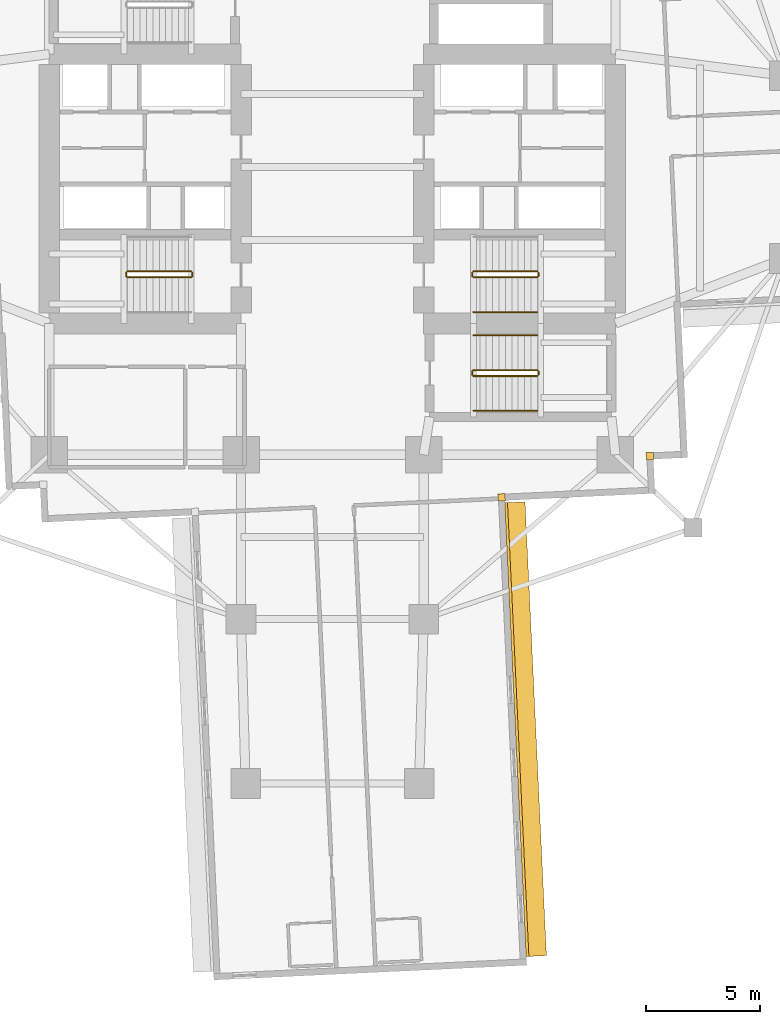
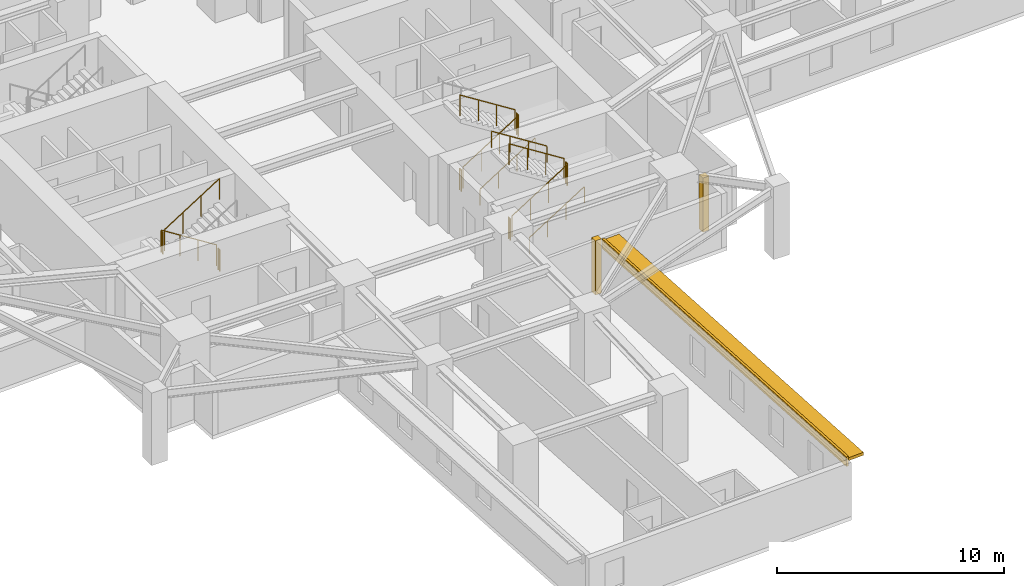
# One storey, part 11 of 14: 15 railings, 3 coverings, 1 shading device.
"""IFC4 building model written with IfcOpenShell, lengths in metres."""

from ifc_helpers import new_model, si_unit, direction, frame, origin, origin_2d, place, context, subcontext, project, spatial, rectangle, circle, extrude, material, layer, layer_set, type_object, element, save


model = new_model("IFC4")

# Units and contexts
model_context = context("Model", 3, precision=1e-05, world=origin(), true_north=direction((0.0, 1.0)))
body_context = subcontext(model_context, "Body", "Model", "MODEL_VIEW")
ifc_project = project(units=[si_unit("LENGTHUNIT", "METRE"), si_unit("AREAUNIT", "SQUARE_METRE"), si_unit("VOLUMEUNIT", "CUBIC_METRE"), si_unit("PLANEANGLEUNIT", "RADIAN"), si_unit("MASSUNIT", "GRAM", prefix="KILO")], contexts=[model_context])

# Site, building, storey
site_placement = place(None, origin())
site = spatial("IfcSite", under=ifc_project, at=site_placement, CompositionType="ELEMENT")
building_placement = place(site_placement, origin())
building = spatial("IfcBuilding", under=site, at=building_placement, Name="Qingluan Cross Belvedere", CompositionType="ELEMENT")
storey_placement = place(building_placement, frame((0.0, 0.0, 35.39990234375)))
storey = spatial("IfcBuildingStorey", under=building, at=storey_placement, Name="L09", CompositionType="ELEMENT", Elevation=35.39990234375)

# Coverings
ifc_material_1 = material(Name="Precast concrete C45", Category="concrete")
ifc_layer_1 = layer(ifc_material_1, 0.1201171875, Name="ConcreteSpandrelCladding_120")
ifc_layer_set_1 = layer_set([ifc_layer_1], Name="Precast concrete C45")
covering_type = type_object("IfcCoveringType", Name="ConcreteSpandrelCladding_120", PredefinedType="CLADDING", material=ifc_layer_set_1)
covering_placement = place(storey_placement, frame((8.07958984375, -24.63671875, 2.4501953125), z_axis=(0.0, 0.0, 1.0), x_axis=(-0.047104684445, 0.998889958255, 0.0)))
element("IfcCovering", 1, at=covering_placement, inside=storey, type_object=covering_type, Name="Spandrel cladding L09-SB", PredefinedType="CLADDING", context=body_context, shape_type="SweptSolid", body=[
    extrude(rectangle(XDim=19.89990234375, YDim=0.1201171875, at=origin_2d()), origin(), (0.0, 0.0, 1.0), 0.52001953125),
])
for number, where, z_axis, x_axis, name in (
    (2, (13.911865234375, -12.65869140625, 0.0), (0.0, 0.0, 1.0), (0.998889874962, 0.04710645071, 0.0), "Corner closure L09-SE1"),
    (3, (7.40966796875, -14.467041015625, 0.0), (0.0, 0.0, 1.0), (0.998889874962, 0.04710645071, 0.0), "Corner closure L09-SE2"),
):
    element("IfcCovering", number, at=place(storey_placement, frame(where, z_axis=z_axis, x_axis=x_axis)), inside=storey, type_object=covering_type, Name=name, PredefinedType="CLADDING", context=body_context, shape_type="SweptSolid", body=[
        extrude(rectangle(XDim=0.320068359375, YDim=0.320068359375, at=origin_2d()), origin(), (0.0, 0.0, 1.0), 2.909912109375),
    ])

# Shading device
ifc_material_2 = material(Name="Precast concrete C45", Category="concrete")
ifc_layer_2 = layer(ifc_material_2, 0.159912109375, Name="ConcreteSunshadeBand_900")
ifc_layer_set_2 = layer_set([ifc_layer_2], Name="Precast concrete C45")
shading_device_type = type_object("IfcShadingDeviceType", Name="ConcreteSunshadeBand_900", PredefinedType="USERDEFINED", material=ifc_layer_set_2)
shading_device_placement = place(storey_placement, frame((8.458984375, -24.618896484375, 2.72998046875), z_axis=(0.0, 0.0, 1.0), x_axis=(-0.047104684445, 0.998889958255, 0.0)))
element("IfcShadingDevice", 4, at=shading_device_placement, inside=storey, type_object=shading_device_type, Name="Concrete SUNSHADE L09-SB", ObjectType="SUNSHADE", PredefinedType="USERDEFINED", context=body_context, shape_type="SweptSolid", body=[
    extrude(rectangle(XDim=19.89990234375, YDim=0.89990234375, at=origin_2d()), origin(), (0.0, 0.0, 1.0), 0.159912109375),
])

# Railings
ifc_material_3 = material(Name="Brushed stainless steel tubular handrail", Category="steel")
railing_type_1 = type_object("IfcRailingType", Name="StairPitchHandrail_900", PredefinedType="HANDRAIL", material=ifc_material_3)
for number, where, name in (
    (5, (6.179931640625, -6.35009765625, 0.177490234375), "L09 ST2 stair handrail 1"),
    (6, (6.179931640625, -10.669921875, 0.177490234375), "L09 ST4 stair handrail 1"),
):
    element("IfcRailing", number, at=place(storey_placement, frame(where)), inside=storey, type_object=railing_type_1, Name=name, PredefinedType="HANDRAIL", context=body_context, shape_type="SweptSolid", body=[
        extrude(circle(Radius=0.02392578125, at=origin_2d()), frame((0.0, 0.0, 0.8759765625), z_axis=(0.844908973607, 0.0, 0.534910110503), x_axis=(0.0, 1.0, 0.0)), (0.0, 0.0, 1.0), 3.31396484375),
        extrude(circle(Radius=0.02099609375, at=origin_2d()), origin(), (0.0, 0.0, 1.0), 0.851806640625),
        extrude(circle(Radius=0.02099609375, at=origin_2d()), frame((0.933349609375, 0.0, 0.5908203125)), (0.0, 0.0, 1.0), 0.851806640625),
        extrude(circle(Radius=0.02099609375, at=origin_2d()), frame((1.86669921875, 0.0, 1.181884765625)), (0.0, 0.0, 1.0), 0.851806640625),
        extrude(circle(Radius=0.02099609375, at=origin_2d()), frame((2.800048828125, 0.0, 1.772705078125)), (0.0, 0.0, 1.0), 0.851806640625),
    ])
railing_1_placement = place(storey_placement, frame((8.97998046875, -7.3701171875, 2.12744140625)))
element("IfcRailing", 7, at=railing_1_placement, inside=storey, type_object=railing_type_1, Name="L09 ST4 stair handrail 2", PredefinedType="HANDRAIL", context=body_context, shape_type="SweptSolid", body=[
    extrude(circle(Radius=0.02392578125, at=origin_2d()), frame((0.0, 0.0, 0.8759765625), z_axis=(-0.844908973607, 0.0, 0.534910110503), x_axis=(0.0, -1.0, 0.0)), (0.0, 0.0, 1.0), 3.31396484375),
    extrude(circle(Radius=0.02099609375, at=origin_2d()), origin(), (0.0, 0.0, 1.0), 0.851806640625),
    extrude(circle(Radius=0.02099609375, at=origin_2d()), frame((-0.933349609375, 0.0, 0.5908203125)), (0.0, 0.0, 1.0), 0.851806640625),
    extrude(circle(Radius=0.02099609375, at=origin_2d()), frame((-1.86669921875, 0.0, 1.181884765625)), (0.0, 0.0, 1.0), 0.851806640625),
    extrude(circle(Radius=0.02099609375, at=origin_2d()), frame((-2.800048828125, 0.0, 1.772705078125)), (0.0, 0.0, 1.0), 0.851806640625),
])
ifc_material_4 = material(Name="Painted steel stair well guard", Category="steel")
railing_type_2 = type_object("IfcRailingType", Name="StairWellGuard_1150", PredefinedType="BALUSTRADE", material=ifc_material_4)
railing_2_placement = place(storey_placement, frame((-6.179931640625, -4.570068359375, 0.177490234375)))
element("IfcRailing", 8, at=railing_2_placement, inside=storey, type_object=railing_type_2, Name="L09 ST1 stair guard 1", PredefinedType="BALUSTRADE", context=body_context, shape_type="SweptSolid", body=[
    extrude(circle(Radius=0.02392578125, at=origin_2d()), frame((0.0, 0.0, 1.1259765625), z_axis=(-0.844908973607, 0.0, 0.534910110503), x_axis=(0.0, -1.0, 0.0)), (0.0, 0.0, 1.0), 3.31396484375),
    extrude(circle(Radius=0.02099609375, at=origin_2d()), origin(), (0.0, 0.0, 1.0), 1.101806640625),
    extrude(circle(Radius=0.02099609375, at=origin_2d()), frame((-0.933349609375, 0.0, 0.5908203125)), (0.0, 0.0, 1.0), 1.101806640625),
    extrude(circle(Radius=0.02099609375, at=origin_2d()), frame((-1.86669921875, 0.0, 1.181884765625)), (0.0, 0.0, 1.0), 1.101806640625),
    extrude(circle(Radius=0.02099609375, at=origin_2d()), frame((-2.800048828125, 0.0, 1.772705078125)), (0.0, 0.0, 1.0), 1.101806640625),
])
railing_3_placement = place(storey_placement, frame((-9.030029296875, -4.6201171875, 1.9501953125)))
element("IfcRailing", 9, at=railing_3_placement, inside=storey, type_object=railing_type_2, Name="L09 ST1 stair guard 2", PredefinedType="BALUSTRADE", context=body_context, shape_type="SweptSolid", body=[
    extrude(circle(Radius=0.02392578125, at=origin_2d()), frame((0.0, 0.0, 1.1259765625), z_axis=(0.0, -1.0, 0.0), x_axis=(1.0, 0.0, 0.0)), (0.0, 0.0, 1.0), 0.159912109375),
    extrude(circle(Radius=0.02099609375, at=origin_2d()), origin(), (0.0, 0.0, 1.0), 1.101806640625),
    extrude(circle(Radius=0.02099609375, at=origin_2d()), frame((0.0, -0.159912109375, 0.0)), (0.0, 0.0, 1.0), 1.101806640625),
])
railing_4_placement = place(storey_placement, frame((-8.97998046875, -4.830078125, 2.12744140625)))
element("IfcRailing", 10, at=railing_4_placement, inside=storey, type_object=railing_type_2, Name="L09 ST1 stair guard 3", PredefinedType="BALUSTRADE", context=body_context, shape_type="SweptSolid", body=[
    extrude(circle(Radius=0.02392578125, at=origin_2d()), frame((0.0, 0.0, 1.1259765625), z_axis=(0.844908973607, 0.0, 0.534910110503), x_axis=(0.0, 1.0, 0.0)), (0.0, 0.0, 1.0), 3.31396484375),
    extrude(circle(Radius=0.02099609375, at=origin_2d()), origin(), (0.0, 0.0, 1.0), 1.101806640625),
    extrude(circle(Radius=0.02099609375, at=origin_2d()), frame((0.933349609375, 0.0, 0.5908203125)), (0.0, 0.0, 1.0), 1.101806640625),
    extrude(circle(Radius=0.02099609375, at=origin_2d()), frame((1.86669921875, 0.0, 1.181884765625)), (0.0, 0.0, 1.0), 1.101806640625),
    extrude(circle(Radius=0.02099609375, at=origin_2d()), frame((2.800048828125, 0.0, 1.772705078125)), (0.0, 0.0, 1.0), 1.101806640625),
])
railing_5_placement = place(storey_placement, frame((-6.1298828125, -4.6201171875, 0.0)))
element("IfcRailing", 11, at=railing_5_placement, inside=storey, type_object=railing_type_2, Name="L09 ST1 stair guard 4", PredefinedType="BALUSTRADE", context=body_context, shape_type="SweptSolid", body=[
    extrude(circle(Radius=0.02392578125, at=origin_2d()), frame((0.0, 0.0, 1.1259765625), z_axis=(0.0, -1.0, 0.0), x_axis=(1.0, 0.0, 0.0)), (0.0, 0.0, 1.0), 0.159912109375),
    extrude(circle(Radius=0.02099609375, at=origin_2d()), origin(), (0.0, 0.0, 1.0), 1.101806640625),
    extrude(circle(Radius=0.02099609375, at=origin_2d()), frame((0.0, -0.159912109375, 0.0)), (0.0, 0.0, 1.0), 1.101806640625),
])
railing_6_placement = place(storey_placement, frame((6.179931640625, -4.830078125, 0.177490234375)))
element("IfcRailing", 12, at=railing_6_placement, inside=storey, type_object=railing_type_2, Name="L09 ST2 stair guard 1", PredefinedType="BALUSTRADE", context=body_context, shape_type="SweptSolid", body=[
    extrude(circle(Radius=0.02392578125, at=origin_2d()), frame((0.0, 0.0, 1.1259765625), z_axis=(0.844908973607, 0.0, 0.534910110503), x_axis=(0.0, 1.0, 0.0)), (0.0, 0.0, 1.0), 3.31396484375),
    extrude(circle(Radius=0.02099609375, at=origin_2d()), origin(), (0.0, 0.0, 1.0), 1.101806640625),
    extrude(circle(Radius=0.02099609375, at=origin_2d()), frame((0.933349609375, 0.0, 0.5908203125)), (0.0, 0.0, 1.0), 1.101806640625),
    extrude(circle(Radius=0.02099609375, at=origin_2d()), frame((1.86669921875, 0.0, 1.181884765625)), (0.0, 0.0, 1.0), 1.101806640625),
    extrude(circle(Radius=0.02099609375, at=origin_2d()), frame((2.800048828125, 0.0, 1.772705078125)), (0.0, 0.0, 1.0), 1.101806640625),
])
railing_7_placement = place(storey_placement, frame((9.030029296875, -4.780029296875, 1.9501953125)))
element("IfcRailing", 13, at=railing_7_placement, inside=storey, type_object=railing_type_2, Name="L09 ST2 stair guard 2", PredefinedType="BALUSTRADE", context=body_context, shape_type="SweptSolid", body=[
    extrude(circle(Radius=0.02392578125, at=origin_2d()), frame((0.0, 0.0, 1.1259765625), z_axis=(0.0, 1.0, 0.0), x_axis=(-1.0, 0.0, 0.0)), (0.0, 0.0, 1.0), 0.159912109375),
    extrude(circle(Radius=0.02099609375, at=origin_2d()), origin(), (0.0, 0.0, 1.0), 1.101806640625),
    extrude(circle(Radius=0.02099609375, at=origin_2d()), frame((0.0, 0.159912109375, 0.0)), (0.0, 0.0, 1.0), 1.101806640625),
])
railing_8_placement = place(storey_placement, frame((8.97998046875, -4.570068359375, 2.12744140625)))
element("IfcRailing", 14, at=railing_8_placement, inside=storey, type_object=railing_type_2, Name="L09 ST2 stair guard 3", PredefinedType="BALUSTRADE", context=body_context, shape_type="SweptSolid", body=[
    extrude(circle(Radius=0.02392578125, at=origin_2d()), frame((0.0, 0.0, 1.1259765625), z_axis=(-0.844908973607, 0.0, 0.534910110503), x_axis=(0.0, -1.0, 0.0)), (0.0, 0.0, 1.0), 3.31396484375),
    extrude(circle(Radius=0.02099609375, at=origin_2d()), origin(), (0.0, 0.0, 1.0), 1.101806640625),
    extrude(circle(Radius=0.02099609375, at=origin_2d()), frame((-0.933349609375, 0.0, 0.5908203125)), (0.0, 0.0, 1.0), 1.101806640625),
    extrude(circle(Radius=0.02099609375, at=origin_2d()), frame((-1.86669921875, 0.0, 1.181884765625)), (0.0, 0.0, 1.0), 1.101806640625),
    extrude(circle(Radius=0.02099609375, at=origin_2d()), frame((-2.800048828125, 0.0, 1.772705078125)), (0.0, 0.0, 1.0), 1.101806640625),
])
railing_9_placement = place(storey_placement, frame((6.1298828125, -4.780029296875, 0.0)))
element("IfcRailing", 15, at=railing_9_placement, inside=storey, type_object=railing_type_2, Name="L09 ST2 stair guard 4", PredefinedType="BALUSTRADE", context=body_context, shape_type="SweptSolid", body=[
    extrude(circle(Radius=0.02392578125, at=origin_2d()), frame((0.0, 0.0, 1.1259765625), z_axis=(0.0, 1.0, 0.0), x_axis=(-1.0, 0.0, 0.0)), (0.0, 0.0, 1.0), 0.159912109375),
    extrude(circle(Radius=0.02099609375, at=origin_2d()), origin(), (0.0, 0.0, 1.0), 1.101806640625),
    extrude(circle(Radius=0.02099609375, at=origin_2d()), frame((0.0, 0.159912109375, 0.0)), (0.0, 0.0, 1.0), 1.101806640625),
])
railing_10_placement = place(storey_placement, frame((6.179931640625, -9.14990234375, 0.177490234375)))
element("IfcRailing", 16, at=railing_10_placement, inside=storey, type_object=railing_type_2, Name="L09 ST4 stair guard 1", PredefinedType="BALUSTRADE", context=body_context, shape_type="SweptSolid", body=[
    extrude(circle(Radius=0.02392578125, at=origin_2d()), frame((0.0, 0.0, 1.1259765625), z_axis=(0.844908973607, 0.0, 0.534910110503), x_axis=(0.0, 1.0, 0.0)), (0.0, 0.0, 1.0), 3.31396484375),
    extrude(circle(Radius=0.02099609375, at=origin_2d()), origin(), (0.0, 0.0, 1.0), 1.101806640625),
    extrude(circle(Radius=0.02099609375, at=origin_2d()), frame((0.933349609375, 0.0, 0.5908203125)), (0.0, 0.0, 1.0), 1.101806640625),
    extrude(circle(Radius=0.02099609375, at=origin_2d()), frame((1.86669921875, 0.0, 1.181884765625)), (0.0, 0.0, 1.0), 1.101806640625),
    extrude(circle(Radius=0.02099609375, at=origin_2d()), frame((2.800048828125, 0.0, 1.772705078125)), (0.0, 0.0, 1.0), 1.101806640625),
])
railing_11_placement = place(storey_placement, frame((9.030029296875, -9.10009765625, 1.9501953125)))
element("IfcRailing", 17, at=railing_11_placement, inside=storey, type_object=railing_type_2, Name="L09 ST4 stair guard 2", PredefinedType="BALUSTRADE", context=body_context, shape_type="SweptSolid", body=[
    extrude(circle(Radius=0.02392578125, at=origin_2d()), frame((0.0, 0.0, 1.1259765625), z_axis=(0.0, 1.0, 0.0), x_axis=(-1.0, 0.0, 0.0)), (0.0, 0.0, 1.0), 0.16015625),
    extrude(circle(Radius=0.02099609375, at=origin_2d()), origin(), (0.0, 0.0, 1.0), 1.101806640625),
    extrude(circle(Radius=0.02099609375, at=origin_2d()), frame((0.0, 0.16015625, 0.0)), (0.0, 0.0, 1.0), 1.101806640625),
])
railing_12_placement = place(storey_placement, frame((8.97998046875, -8.889892578125, 2.12744140625)))
element("IfcRailing", 18, at=railing_12_placement, inside=storey, type_object=railing_type_2, Name="L09 ST4 stair guard 3", PredefinedType="BALUSTRADE", context=body_context, shape_type="SweptSolid", body=[
    extrude(circle(Radius=0.02392578125, at=origin_2d()), frame((0.0, 0.0, 1.1259765625), z_axis=(-0.844908973607, 0.0, 0.534910110503), x_axis=(0.0, -1.0, 0.0)), (0.0, 0.0, 1.0), 3.31396484375),
    extrude(circle(Radius=0.02099609375, at=origin_2d()), origin(), (0.0, 0.0, 1.0), 1.101806640625),
    extrude(circle(Radius=0.02099609375, at=origin_2d()), frame((-0.933349609375, 0.0, 0.5908203125)), (0.0, 0.0, 1.0), 1.101806640625),
    extrude(circle(Radius=0.02099609375, at=origin_2d()), frame((-1.86669921875, 0.0, 1.181884765625)), (0.0, 0.0, 1.0), 1.101806640625),
    extrude(circle(Radius=0.02099609375, at=origin_2d()), frame((-2.800048828125, 0.0, 1.772705078125)), (0.0, 0.0, 1.0), 1.101806640625),
])
railing_13_placement = place(storey_placement, frame((6.1298828125, -9.10009765625, 0.0)))
element("IfcRailing", 19, at=railing_13_placement, inside=storey, type_object=railing_type_2, Name="L09 ST4 stair guard 4", PredefinedType="BALUSTRADE", context=body_context, shape_type="SweptSolid", body=[
    extrude(circle(Radius=0.02392578125, at=origin_2d()), frame((0.0, 0.0, 1.1259765625), z_axis=(0.0, 1.0, 0.0), x_axis=(-1.0, 0.0, 0.0)), (0.0, 0.0, 1.0), 0.16015625),
    extrude(circle(Radius=0.02099609375, at=origin_2d()), origin(), (0.0, 0.0, 1.0), 1.101806640625),
    extrude(circle(Radius=0.02099609375, at=origin_2d()), frame((0.0, 0.16015625, 0.0)), (0.0, 0.0, 1.0), 1.101806640625),
])

save(model, "model.ifc")
